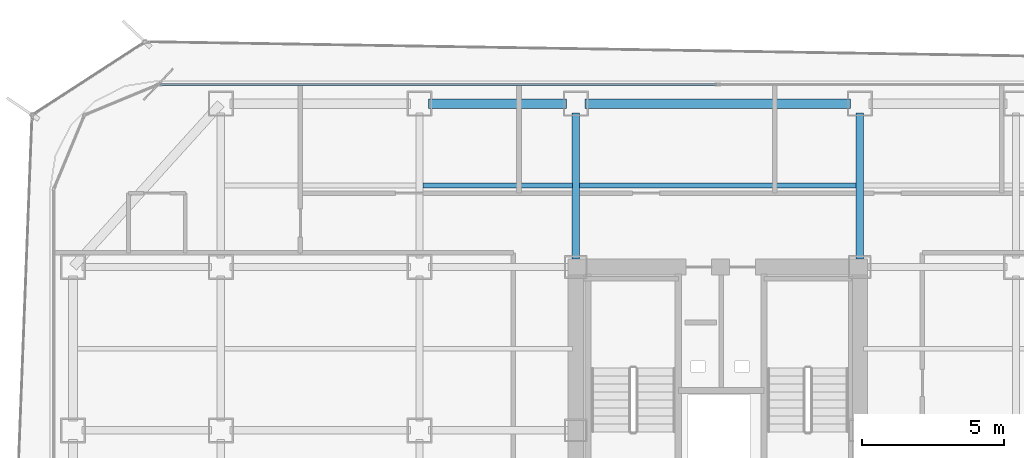
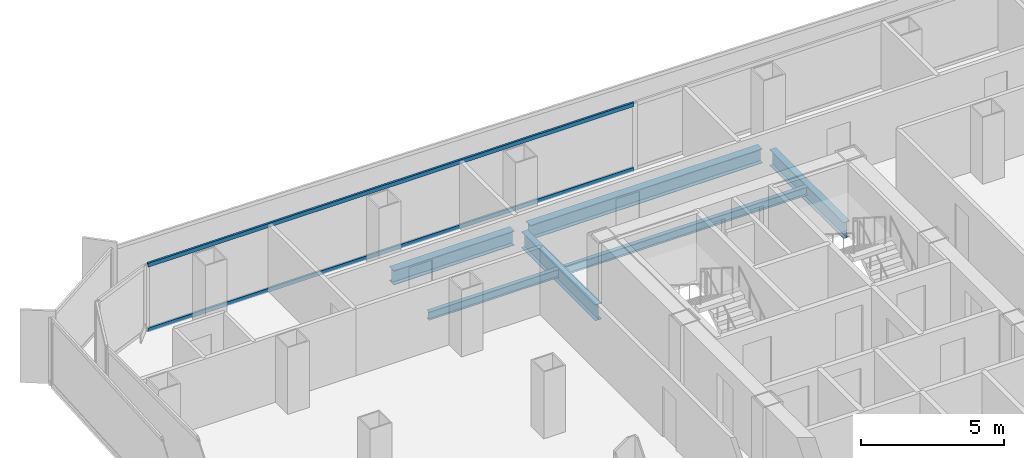
# One storey, part 11 of 21: 6 beams, 2 members, 1 element without a shape of its own.
"""IFC4 building model written with IfcOpenShell, lengths in metres."""

from ifc_helpers import new_model, si_unit, direction, frame, origin, origin_2d, place, context, subcontext, project, spatial, hollow_rectangle, i_section, extrude, source, transform, mapped, material, layer, layer_set, material_profile, profile_set, type_object, element, aggregate, save


model = new_model("IFC4")

# Units and contexts
model_context = context("Model", 3, precision=1e-05, world=origin(), true_north=direction((0.0, 1.0)))
body_context = subcontext(model_context, "Body", "Model", "MODEL_VIEW")
ifc_project = project(units=[si_unit("LENGTHUNIT", "METRE"), si_unit("AREAUNIT", "SQUARE_METRE"), si_unit("VOLUMEUNIT", "CUBIC_METRE"), si_unit("PLANEANGLEUNIT", "RADIAN"), si_unit("MASSUNIT", "GRAM", prefix="KILO")], contexts=[model_context])

# Site, building, storey
site_placement = place(None, origin())
site = spatial("IfcSite", under=ifc_project, at=site_placement, CompositionType="ELEMENT")
building_placement = place(site_placement, origin())
building = spatial("IfcBuilding", under=site, at=building_placement, Name="Kolveth Station Tower", CompositionType="ELEMENT")
storey_placement = place(building_placement, frame((0.0, 0.0, 140.699951171875)))
storey = spatial("IfcBuildingStorey", under=building, at=storey_placement, Name="L39", CompositionType="ELEMENT", Elevation=140.699951171875)

# Beams
ifc_material_1 = material(Name="Steel S355", Category="steel")
ifc_material_profile_1 = material_profile(ifc_material_1, i_section(OverallWidth=0.323974609375, OverallDepth=0.611083984375, WebThickness=0.0126953125, FlangeThickness=0.01904296875, at=origin_2d()), Name="W610x155")
ifc_profile_set_1 = profile_set([ifc_material_profile_1], Name="Steel S355")
beam_type_1 = type_object("IfcBeamType", Name="Beam_SP2", PredefinedType="SPANDREL", material=ifc_profile_set_1)
shared_shape_1 = source(origin(), body_context, "Body", "SweptSolid", [
    extrude(i_section(OverallWidth=0.323974609375, OverallDepth=0.611083984375, WebThickness=0.0126953125, FlangeThickness=0.01904296875, at=origin_2d()), origin(), (0.0, 0.0, 1.0), 4.85986328125),
])
beam_1_placement = place(storey_placement, frame((13.320068359375, 34.5, -0.555419921875), z_axis=(1.0, 0.0, 0.0), x_axis=(0.0, 1.0, 0.0)))
element("IfcBeam", 1, at=beam_1_placement, inside=storey, type_object=beam_type_1, Name="L39 Perimeter Spandrel BM-L39-PN-2", PredefinedType="SPANDREL", context=body_context, shape_type="MappedRepresentation", body=[
    mapped(shared_shape_1, transform((0.0, 0.0, 0.0), x_axis=(1.0, 0.0, 0.0), y_axis=(0.0, 1.0, 0.0), z_axis=(0.0, 0.0, 1.0), scale=1.0)),
])
shared_shape_2 = source(origin(), body_context, "Body", "SweptSolid", [
    extrude(i_section(OverallWidth=0.323974609375, OverallDepth=0.611083984375, WebThickness=0.0126953125, FlangeThickness=0.01904296875, at=origin_2d()), origin(), (0.0, 0.0, 1.0), 9.35986328125),
])
beam_2_placement = place(storey_placement, frame((18.820068359375, 34.5, -0.555419921875), z_axis=(1.0, 0.0, 0.0), x_axis=(0.0, 1.0, 0.0)))
element("IfcBeam", 2, at=beam_2_placement, inside=storey, type_object=beam_type_1, Name="L39 Perimeter Spandrel BM-L39-PN-3", PredefinedType="SPANDREL", context=body_context, shape_type="MappedRepresentation", body=[
    mapped(shared_shape_2, transform((0.0, 0.0, 0.0), x_axis=(1.0, 0.0, 0.0), y_axis=(0.0, 1.0, 0.0), z_axis=(0.0, 0.0, 1.0), scale=1.0)),
])
ifc_material_profile_2 = material_profile(ifc_material_1, i_section(OverallWidth=0.25390625, OverallDepth=0.68798828125, WebThickness=0.01318359375, FlangeThickness=0.02099609375, at=origin_2d()), Name="W690x152")
ifc_profile_set_2 = profile_set([ifc_material_profile_2], Name="Steel S355")
beam_type_2 = type_object("IfcBeamType", Name="Beam_B4", PredefinedType="BEAM", material=ifc_profile_set_2)
shared_shape_3 = source(origin(), body_context, "Body", "SweptSolid", [
    extrude(i_section(OverallWidth=0.25390625, OverallDepth=0.68798828125, WebThickness=0.01318359375, FlangeThickness=0.02099609375, at=origin_2d()), origin(), (0.0, 0.0, 1.0), 5.14990234375),
])
for number, where, z_axis, x_axis, name in (
    (3, (18.5, 29.030029296875, -0.593994140625), (0.0, 1.0, 0.0), (-1.0, 0.0, 0.0), "L39 Primary Girder BM-L39-GX185-6"),
    (4, (28.5, 29.030029296875, -0.593994140625), (0.0, 1.0, 0.0), (-1.0, 0.0, 0.0), "L39 Primary Girder BM-L39-GX285-6"),
):
    element("IfcBeam", number, at=place(storey_placement, frame(where, z_axis=z_axis, x_axis=x_axis)), inside=storey, type_object=beam_type_2, Name=name, PredefinedType="BEAM", context=body_context, shape_type="MappedRepresentation", body=[
        mapped(shared_shape_3, transform((0.0, 0.0, 0.0), x_axis=(1.0, 0.0, 0.0), y_axis=(0.0, 1.0, 0.0), z_axis=(0.0, 0.0, 1.0), scale=1.0)),
    ])
ifc_material_profile_3 = material_profile(ifc_material_1, i_section(OverallWidth=0.1708984375, OverallDepth=0.35205078125, WebThickness=0.0068359375, FlangeThickness=0.009765625, at=origin_2d()), Name="W360x44")
ifc_profile_set_3 = profile_set([ifc_material_profile_3], Name="Steel S355")
beam_type_3 = type_object("IfcBeamType", Name="Beam_J2", PredefinedType="JOIST", material=ifc_profile_set_3)
shared_shape_4 = source(origin(), body_context, "Body", "SweptSolid", [
    extrude(i_section(OverallWidth=0.1708984375, OverallDepth=0.35205078125, WebThickness=0.0068359375, FlangeThickness=0.009765625, at=origin_2d()), origin(), (0.0, 0.0, 1.0), 5.25),
])
beam_3_placement = place(storey_placement, frame((13.125, 31.625, -0.426025390625), z_axis=(1.0, 0.0, 0.0), x_axis=(0.0, 1.0, 0.0)))
element("IfcBeam", 5, at=beam_3_placement, inside=storey, type_object=beam_type_3, Name="L39 Secondary Joist JST-L39-3-6", PredefinedType="JOIST", context=body_context, shape_type="MappedRepresentation", body=[
    mapped(shared_shape_4, transform((0.0, 0.0, 0.0), x_axis=(1.0, 0.0, 0.0), y_axis=(0.0, 1.0, 0.0), z_axis=(0.0, 0.0, 1.0), scale=1.0)),
])
shared_shape_5 = source(origin(), body_context, "Body", "SweptSolid", [
    extrude(i_section(OverallWidth=0.1708984375, OverallDepth=0.35205078125, WebThickness=0.0068359375, FlangeThickness=0.009765625, at=origin_2d()), origin(), (0.0, 0.0, 1.0), 9.75),
])
beam_4_placement = place(storey_placement, frame((18.625, 31.625, -0.426025390625), z_axis=(1.0, 0.0, 0.0), x_axis=(0.0, 1.0, 0.0)))
element("IfcBeam", 6, at=beam_4_placement, inside=storey, type_object=beam_type_3, Name="L39 Secondary Joist JST-L39-4-6", PredefinedType="JOIST", context=body_context, shape_type="MappedRepresentation", body=[
    mapped(shared_shape_5, transform((0.0, 0.0, 0.0), x_axis=(1.0, 0.0, 0.0), y_axis=(0.0, 1.0, 0.0), z_axis=(0.0, 0.0, 1.0), scale=1.0)),
])

# Curtain wall, members
ifc_material_2 = material(Name="Aluminium 6063-T6 and low-E dark glass", Category="aluminium")
ifc_layer = layer(ifc_material_2, 0.18994140625)
ifc_layer_set = layer_set([ifc_layer], Name="Aluminium 6063-T6 and low-E dark glass")
curtain_wall_type = type_object("IfcCurtainWallType", Name="CurtainWall_CW-Z2", PredefinedType="NOTDEFINED", material=ifc_layer_set)
curtain_wall_placement = place(storey_placement, origin())
curtain_wall = element("IfcCurtainWall", 7, at=curtain_wall_placement, inside=storey, type_object=curtain_wall_type, Name="L39 Inner Thermal Curtain Wall 6", PredefinedType="NOTDEFINED")
ifc_material_3 = material(Name="Black anodized aluminium 6063-T6", Category="aluminium")
ifc_material_profile_4 = material_profile(ifc_material_3, hollow_rectangle(XDim=0.080078125, YDim=0.169921875, WallThickness=0.0048828125, at=origin_2d()), Name="ALU-80x170x5")
ifc_profile_set_4 = profile_set([ifc_material_profile_4], Name="Black anodized aluminium 6063-T6")
member_type = type_object("IfcMemberType", Name="Transom_TR2", PredefinedType="USERDEFINED", material=ifc_profile_set_4)
shared_shape_6 = source(origin(), body_context, "Body", "SweptSolid", [
    extrude(hollow_rectangle(XDim=0.080078125, YDim=0.169921875, WallThickness=0.0048828125, at=origin_2d()), origin(), (0.0, 0.0, 1.0), 19.580078125),
])
member_1_placement = place(storey_placement, frame((23.4599609375, 35.179931640625, 0.0400390625), z_axis=(-1.0, 0.0, 0.0), x_axis=(0.0, -1.0, 0.0)))
member_1 = element("IfcMember", 8, at=member_1_placement, type_object=member_type, Name="CW-Z2 transom 2.1", ObjectType="TRANSOM", PredefinedType="USERDEFINED", context=body_context, shape_type="MappedRepresentation", body=[
    mapped(shared_shape_6, transform((0.0, 0.0, 0.0), x_axis=(1.0, 0.0, 0.0), y_axis=(0.0, 1.0, 0.0), z_axis=(0.0, 0.0, 1.0), scale=1.0)),
])
member_2_placement = place(storey_placement, frame((23.4599609375, 35.179931640625, 2.800048828125), z_axis=(-1.0, 0.0, 0.0), x_axis=(0.0, -1.0, 0.0)))
member_2 = element("IfcMember", 9, at=member_2_placement, type_object=member_type, Name="CW-Z2 transom 2.2", ObjectType="TRANSOM", PredefinedType="USERDEFINED", context=body_context, shape_type="MappedRepresentation", body=[
    mapped(shared_shape_6, transform((0.0, 0.0, 0.0), x_axis=(1.0, 0.0, 0.0), y_axis=(0.0, 1.0, 0.0), z_axis=(0.0, 0.0, 1.0), scale=1.0)),
])
aggregate(curtain_wall, [member_1, member_2])

save(model, "model.ifc")
